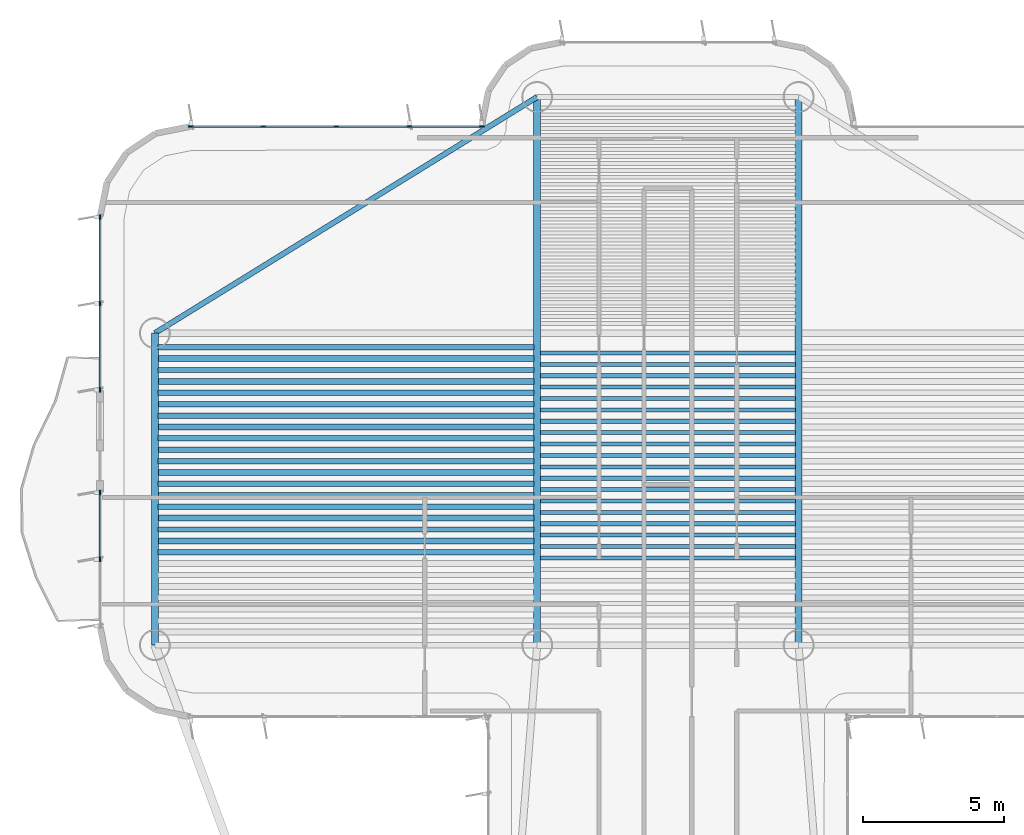
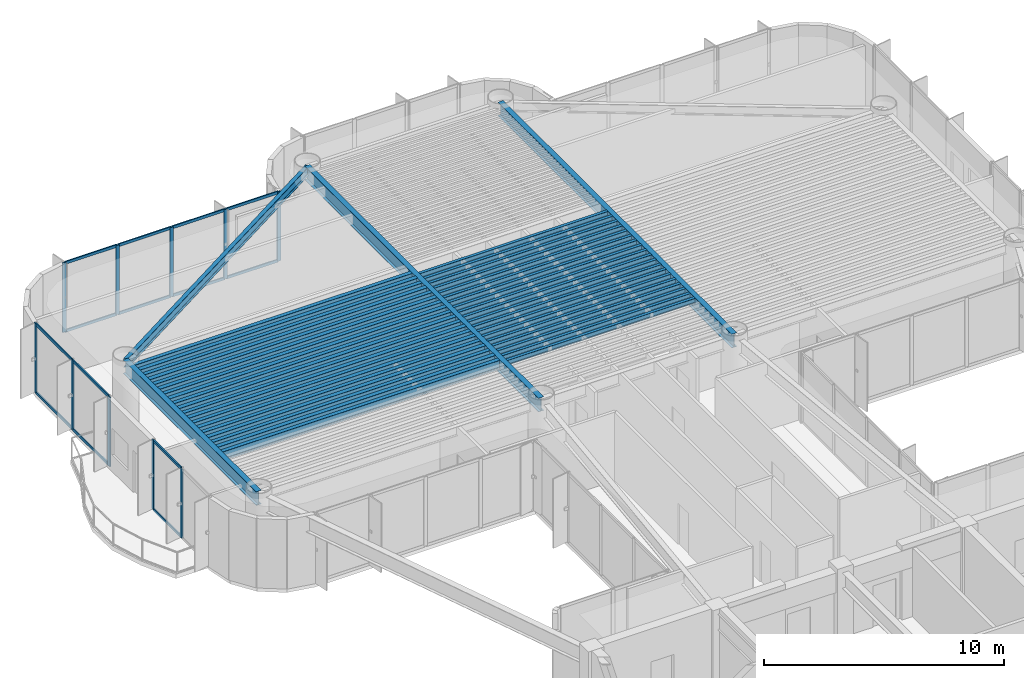
# One storey, part 5 of 14: 42 beams, 24 members, 3 elements without a shape of their own.
"""IFC4 building model written with IfcOpenShell, lengths in metres."""

from ifc_helpers import new_model, si_unit, direction, frame, origin, origin_2d, place, context, subcontext, project, spatial, rectangle, i_section, extrude, source, transform, mapped, material, layer, layer_set, material_profile, profile_set, type_object, element, aggregate, save


model = new_model("IFC4")

# Units and contexts
model_context = context("Model", 3, precision=1e-05, world=origin(), true_north=direction((0.0, 1.0)))
body_context = subcontext(model_context, "Body", "Model", "MODEL_VIEW")
ifc_project = project(units=[si_unit("LENGTHUNIT", "METRE"), si_unit("AREAUNIT", "SQUARE_METRE"), si_unit("VOLUMEUNIT", "CUBIC_METRE"), si_unit("PLANEANGLEUNIT", "RADIAN"), si_unit("MASSUNIT", "GRAM", prefix="KILO")], contexts=[model_context])

# Site, building, storey
site_placement = place(None, origin())
site = spatial("IfcSite", under=ifc_project, at=site_placement, CompositionType="ELEMENT")
building_placement = place(site_placement, origin())
building = spatial("IfcBuilding", under=site, at=building_placement, Name="Brelvock Crest Care Tower", CompositionType="ELEMENT")
storey_placement = place(building_placement, frame((0.0, 0.0, 182.8798828125)))
storey = spatial("IfcBuildingStorey", under=building, at=storey_placement, Name="L46", CompositionType="ELEMENT", Elevation=182.8798828125)

# Beams
ifc_material_1 = material(Name="Steel Grade 350", Category="steel")
ifc_material_profile_1 = material_profile(ifc_material_1, i_section(OverallWidth=0.14599609375, OverallDepth=0.256103515625, WebThickness=0.00634765625, FlangeThickness=0.010986328125, FilletRadius=0.0087890625, at=origin_2d()), Name="250UB37.3")
ifc_profile_set_1 = profile_set([ifc_material_profile_1], Name="Steel Grade 350")
beam_type_1 = type_object("IfcBeamType", Name="BM-J3", PredefinedType="JOIST", material=ifc_profile_set_1)
shared_shape_1 = source(origin(), body_context, "Body", "SweptSolid", [
    extrude(i_section(OverallWidth=0.14599609375, OverallDepth=0.256103515625, WebThickness=0.00634765625, FlangeThickness=0.010986328125, FilletRadius=0.0087890625, at=origin_2d()), origin(), (0.0, 0.0, 1.0), 9.06982421875),
])
for number, where, z_axis, x_axis, name in (
    (1, (31.465087890625, 38.0498046875, 3.402099609375), (1.0, 0.0, 0.0), (0.0, 1.0, 0.0), "BM-JH-L46-7"),
    (2, (31.465087890625, 38.454833984375, 3.402099609375), (1.0, 0.0, 0.0), (0.0, 1.0, 0.0), "BM-JH-L46-8"),
    (3, (31.465087890625, 38.860107421875, 3.402099609375), (1.0, 0.0, 0.0), (0.0, 1.0, 0.0), "BM-JH-L46-9"),
    (4, (31.465087890625, 39.26513671875, 3.402099609375), (1.0, 0.0, 0.0), (0.0, 1.0, 0.0), "BM-JH-L46-10"),
    (5, (31.465087890625, 39.67041015625, 3.402099609375), (1.0, 0.0, 0.0), (0.0, 1.0, 0.0), "BM-JH-L46-11"),
    (6, (31.465087890625, 40.075439453125, 3.402099609375), (1.0, 0.0, 0.0), (0.0, 1.0, 0.0), "BM-JH-L46-12"),
    (7, (31.465087890625, 40.480712890625, 3.402099609375), (1.0, 0.0, 0.0), (0.0, 1.0, 0.0), "BM-JH-L46-13"),
    (8, (31.465087890625, 40.8857421875, 3.402099609375), (1.0, 0.0, 0.0), (0.0, 1.0, 0.0), "BM-JH-L46-14"),
    (9, (31.465087890625, 41.291015625, 3.402099609375), (1.0, 0.0, 0.0), (0.0, 1.0, 0.0), "BM-JH-L46-15"),
    (10, (31.465087890625, 41.696044921875, 3.402099609375), (1.0, 0.0, 0.0), (0.0, 1.0, 0.0), "BM-JH-L46-16"),
    (11, (31.465087890625, 42.101318359375, 3.402099609375), (1.0, 0.0, 0.0), (0.0, 1.0, 0.0), "BM-JH-L46-17"),
    (12, (31.465087890625, 42.50634765625, 3.402099609375), (1.0, 0.0, 0.0), (0.0, 1.0, 0.0), "BM-JH-L46-18"),
    (13, (31.465087890625, 42.91162109375, 3.402099609375), (1.0, 0.0, 0.0), (0.0, 1.0, 0.0), "BM-JH-L46-19"),
    (14, (31.465087890625, 43.316650390625, 3.402099609375), (1.0, 0.0, 0.0), (0.0, 1.0, 0.0), "BM-JH-L46-20"),
    (15, (31.465087890625, 43.7216796875, 3.402099609375), (1.0, 0.0, 0.0), (0.0, 1.0, 0.0), "BM-JH-L46-21"),
    (16, (31.465087890625, 44.126953125, 3.402099609375), (1.0, 0.0, 0.0), (0.0, 1.0, 0.0), "BM-JH-L46-22"),
    (17, (31.465087890625, 44.531982421875, 3.402099609375), (1.0, 0.0, 0.0), (0.0, 1.0, 0.0), "BM-JH-L46-23"),
    (18, (31.465087890625, 44.937255859375, 3.402099609375), (1.0, 0.0, 0.0), (0.0, 1.0, 0.0), "BM-JH-L46-24"),
    (19, (31.465087890625, 45.34228515625, 3.402099609375), (1.0, 0.0, 0.0), (0.0, 1.0, 0.0), "BM-JH-L46-25"),
):
    element("IfcBeam", number, at=place(storey_placement, frame(where, z_axis=z_axis, x_axis=x_axis)), inside=storey, type_object=beam_type_1, Name=name, PredefinedType="JOIST", context=body_context, shape_type="MappedRepresentation", body=[
        mapped(shared_shape_1, transform((0.0, 0.0, 0.0), x_axis=(1.0, 0.0, 0.0), y_axis=(0.0, 1.0, 0.0), z_axis=(0.0, 0.0, 1.0), scale=1.0)),
    ])
ifc_material_profile_2 = material_profile(ifc_material_1, i_section(OverallWidth=0.208984375, OverallDepth=0.532958984375, WebThickness=0.01025390625, FlangeThickness=0.015625, FilletRadius=0.013916015625, at=origin_2d()), Name="530UB92.4")
ifc_profile_set_2 = profile_set([ifc_material_profile_2], Name="Steel Grade 350")
beam_type_2 = type_object("IfcBeamType", Name="BM-G2", PredefinedType="BEAM", material=ifc_profile_set_2)
shared_shape_2 = source(origin(), body_context, "Body", "SweptSolid", [
    extrude(i_section(OverallWidth=0.208984375, OverallDepth=0.532958984375, WebThickness=0.01025390625, FlangeThickness=0.015625, FilletRadius=0.013916015625, at=origin_2d()), origin(), (0.0, 0.0, 1.0), 13.3701171875),
])
for number, where, z_axis, x_axis, name in (
    (20, (17.864990234375, 38.657470703125, 3.263671875), (1.0, 0.0, 0.0), (0.0, 1.0, 0.0), "BM-JW-L46-9"),
    (21, (17.864990234375, 39.4677734375, 3.263671875), (1.0, 0.0, 0.0), (0.0, 1.0, 0.0), "BM-JW-L46-11"),
    (22, (17.864990234375, 40.278076171875, 3.263671875), (1.0, 0.0, 0.0), (0.0, 1.0, 0.0), "BM-JW-L46-13"),
    (23, (17.864990234375, 41.08837890625, 3.263671875), (1.0, 0.0, 0.0), (0.0, 1.0, 0.0), "BM-JW-L46-15"),
    (24, (17.864990234375, 41.898681640625, 3.263671875), (1.0, 0.0, 0.0), (0.0, 1.0, 0.0), "BM-JW-L46-17"),
    (25, (17.864990234375, 42.708984375, 3.263671875), (1.0, 0.0, 0.0), (0.0, 1.0, 0.0), "BM-JW-L46-19"),
    (26, (17.864990234375, 43.519287109375, 3.263671875), (1.0, 0.0, 0.0), (0.0, 1.0, 0.0), "BM-JW-L46-21"),
    (27, (17.864990234375, 44.32958984375, 3.263671875), (1.0, 0.0, 0.0), (0.0, 1.0, 0.0), "BM-JW-L46-23"),
    (28, (17.864990234375, 45.139892578125, 3.263671875), (1.0, 0.0, 0.0), (0.0, 1.0, 0.0), "BM-JW-L46-25"),
):
    element("IfcBeam", number, at=place(storey_placement, frame(where, z_axis=z_axis, x_axis=x_axis)), inside=storey, type_object=beam_type_2, Name=name, PredefinedType="BEAM", context=body_context, shape_type="MappedRepresentation", body=[
        mapped(shared_shape_2, transform((0.0, 0.0, 0.0), x_axis=(1.0, 0.0, 0.0), y_axis=(0.0, 1.0, 0.0), z_axis=(0.0, 0.0, 1.0), scale=1.0)),
    ])
ifc_material_profile_3 = material_profile(ifc_material_1, i_section(OverallWidth=0.19091796875, OverallDepth=0.4599609375, WebThickness=0.010009765625, FlangeThickness=0.01611328125, FilletRadius=0.011474609375, at=origin_2d()), Name="460UB82.1")
ifc_profile_set_3 = profile_set([ifc_material_profile_3], Name="Steel Grade 350")
beam_type_3 = type_object("IfcBeamType", Name="BM-G3", PredefinedType="BEAM", material=ifc_profile_set_3)
shared_shape_3 = source(origin(), body_context, "Body", "SweptSolid", [
    extrude(i_section(OverallWidth=0.19091796875, OverallDepth=0.4599609375, WebThickness=0.010009765625, FlangeThickness=0.01611328125, FilletRadius=0.011474609375, at=origin_2d()), origin(), (0.0, 0.0, 1.0), 13.3701171875),
])
for number, where, z_axis, x_axis, name in (
    (29, (17.864990234375, 38.252197265625, 3.300048828125), (1.0, 0.0, 0.0), (0.0, 1.0, 0.0), "BM-JW-L46-8"),
    (30, (17.864990234375, 39.0625, 3.300048828125), (1.0, 0.0, 0.0), (0.0, 1.0, 0.0), "BM-JW-L46-10"),
    (31, (17.864990234375, 39.872802734375, 3.300048828125), (1.0, 0.0, 0.0), (0.0, 1.0, 0.0), "BM-JW-L46-12"),
    (32, (17.864990234375, 40.68310546875, 3.300048828125), (1.0, 0.0, 0.0), (0.0, 1.0, 0.0), "BM-JW-L46-14"),
    (33, (17.864990234375, 41.493408203125, 3.300048828125), (1.0, 0.0, 0.0), (0.0, 1.0, 0.0), "BM-JW-L46-16"),
    (34, (17.864990234375, 42.3037109375, 3.300048828125), (1.0, 0.0, 0.0), (0.0, 1.0, 0.0), "BM-JW-L46-18"),
    (35, (17.864990234375, 43.114013671875, 3.300048828125), (1.0, 0.0, 0.0), (0.0, 1.0, 0.0), "BM-JW-L46-20"),
    (36, (17.864990234375, 43.92431640625, 3.300048828125), (1.0, 0.0, 0.0), (0.0, 1.0, 0.0), "BM-JW-L46-22"),
    (37, (17.864990234375, 44.734619140625, 3.300048828125), (1.0, 0.0, 0.0), (0.0, 1.0, 0.0), "BM-JW-L46-24"),
    (38, (17.864990234375, 45.544921875, 3.300048828125), (1.0, 0.0, 0.0), (0.0, 1.0, 0.0), "BM-JW-L46-26"),
):
    element("IfcBeam", number, at=place(storey_placement, frame(where, z_axis=z_axis, x_axis=x_axis)), inside=storey, type_object=beam_type_3, Name=name, PredefinedType="BEAM", context=body_context, shape_type="MappedRepresentation", body=[
        mapped(shared_shape_3, transform((0.0, 0.0, 0.0), x_axis=(1.0, 0.0, 0.0), y_axis=(0.0, 1.0, 0.0), z_axis=(0.0, 0.0, 1.0), scale=1.0)),
    ])
ifc_material_profile_4 = material_profile(ifc_material_1, i_section(OverallWidth=0.25, OverallDepth=0.699951171875, WebThickness=0.011962890625, FlangeThickness=0.02001953125, at=origin_2d()), Name="700WB150")
ifc_profile_set_4 = profile_set([ifc_material_profile_4], Name="Steel Grade 350")
beam_type_4 = type_object("IfcBeamType", Name="BM-G4", PredefinedType="BEAM", material=ifc_profile_set_4)
shared_shape_4 = source(origin(), body_context, "Body", "SweptSolid", [
    extrude(i_section(OverallWidth=0.25, OverallDepth=0.699951171875, WebThickness=0.011962890625, FlangeThickness=0.02001953125, at=origin_2d()), origin(), (0.0, 0.0, 1.0), 11.10009765625),
])
beam_1_placement = place(storey_placement, frame((17.75, 34.949951171875, 3.18017578125), z_axis=(0.0, 1.0, 0.0), x_axis=(-1.0, 0.0, 0.0)))
element("IfcBeam", 39, at=beam_1_placement, inside=storey, type_object=beam_type_4, Name="BM-TWR-L46-01", PredefinedType="BEAM", context=body_context, shape_type="MappedRepresentation", body=[
    mapped(shared_shape_4, transform((0.0, 0.0, 0.0), x_axis=(1.0, 0.0, 0.0), y_axis=(0.0, 1.0, 0.0), z_axis=(0.0, 0.0, 1.0), scale=1.0)),
])
ifc_material_profile_5 = material_profile(ifc_material_1, i_section(OverallWidth=0.19091796875, OverallDepth=0.4599609375, WebThickness=0.010009765625, FlangeThickness=0.01611328125, FilletRadius=0.011474609375, at=origin_2d()), Name="460UB82.1")
ifc_profile_set_5 = profile_set([ifc_material_profile_5], Name="Steel Grade 350")
beam_type_5 = type_object("IfcBeamType", Name="BM-SP2", PredefinedType="SPANDREL", material=ifc_profile_set_5)
shared_shape_5 = source(origin(), body_context, "Body", "SweptSolid", [
    extrude(i_section(OverallWidth=0.19091796875, OverallDepth=0.4599609375, WebThickness=0.010009765625, FlangeThickness=0.01611328125, FilletRadius=0.011474609375, at=origin_2d()), origin(), (0.0, 0.0, 1.0), 15.985107421875),
])
beam_2_placement = place(storey_placement, frame((17.75, 46.050048828125, 3.300048828125), z_axis=(0.850802415717, 0.525485727124, 0.0), x_axis=(-0.525485727124, 0.850802415717, 0.0)))
element("IfcBeam", 40, at=beam_2_placement, inside=storey, type_object=beam_type_5, Name="BM-TWR-L46-06", PredefinedType="SPANDREL", context=body_context, shape_type="MappedRepresentation", body=[
    mapped(shared_shape_5, transform((0.0, 0.0, 0.0), x_axis=(1.0, 0.0, 0.0), y_axis=(0.0, 1.0, 0.0), z_axis=(0.0, 0.0, 1.0), scale=1.0)),
])
shared_shape_6 = source(origin(), body_context, "Body", "SweptSolid", [
    extrude(i_section(OverallWidth=0.25, OverallDepth=0.699951171875, WebThickness=0.011962890625, FlangeThickness=0.02001953125, at=origin_2d()), origin(), (0.0, 0.0, 1.0), 19.5),
])
for number, where, z_axis, x_axis, name in (
    (41, (31.35009765625, 34.949951171875, 3.18017578125), (0.0, 1.0, 0.0), (-1.0, 0.0, 0.0), "BM-TWR-L46-09"),
    (42, (40.64990234375, 34.949951171875, 3.18017578125), (0.0, 1.0, 0.0), (-1.0, 0.0, 0.0), "BM-TWR-L46-10"),
):
    element("IfcBeam", number, at=place(storey_placement, frame(where, z_axis=z_axis, x_axis=x_axis)), inside=storey, type_object=beam_type_4, Name=name, PredefinedType="BEAM", context=body_context, shape_type="MappedRepresentation", body=[
        mapped(shared_shape_6, transform((0.0, 0.0, 0.0), x_axis=(1.0, 0.0, 0.0), y_axis=(0.0, 1.0, 0.0), z_axis=(0.0, 0.0, 1.0), scale=1.0)),
    ])

# Curtain wall, members
ifc_material_2 = material(Name="Dark Glass Double Glazed Low-E", Category="glass")
ifc_layer = layer(ifc_material_2, 0.22509765625, Name="CWS-4")
ifc_layer_set = layer_set([ifc_layer], Name="Dark Glass Double Glazed Low-E")
curtain_wall_type = type_object("IfcCurtainWallType", Name="CWS-4", PredefinedType="NOTDEFINED", material=ifc_layer_set)
curtain_wall_1_placement = place(storey_placement, origin())
curtain_wall_1 = element("IfcCurtainWall", 43, at=curtain_wall_1_placement, inside=storey, type_object=curtain_wall_type, Name="L46 Curtain Wall E17A", PredefinedType="NOTDEFINED")
ifc_material_3 = material(Name="Aluminium 6063-T6", Category="aluminium")
ifc_material_profile_6 = material_profile(ifc_material_3, rectangle(XDim=0.06005859375, YDim=0.179931640625, at=origin_2d()), Name="ALU60x180")
ifc_profile_set_6 = profile_set([ifc_material_profile_6], Name="Aluminium 6063-T6")
member_type_1 = type_object("IfcMemberType", Name="CWM-2", PredefinedType="MULLION", material=ifc_profile_set_6)
shared_shape_7 = source(origin(), body_context, "Body", "SweptSolid", [
    extrude(rectangle(XDim=0.06005859375, YDim=0.179931640625, at=origin_2d()), origin(), (0.0, 0.0, 1.0), 3.530029296875),
])
member_1_placement = place(storey_placement, frame((15.800048828125, 38.0, 0.0), z_axis=(0.0, 0.0, 1.0), x_axis=(-1.0, 0.0, 0.0)))
member_1 = element("IfcMember", 44, at=member_1_placement, type_object=member_type_1, Name="CW-4 mullion 2", PredefinedType="MULLION", context=body_context, shape_type="MappedRepresentation", body=[
    mapped(shared_shape_7, transform((0.0, 0.0, 0.0), x_axis=(1.0, 0.0, 0.0), y_axis=(0.0, 1.0, 0.0), z_axis=(0.0, 0.0, 1.0), scale=1.0)),
])
member_2_placement = place(storey_placement, frame((15.800048828125, 40.3701171875, 0.0), z_axis=(0.0, 0.0, 1.0), x_axis=(-1.0, 0.0, 0.0)))
member_2 = element("IfcMember", 45, at=member_2_placement, type_object=member_type_1, Name="CW-4 mullion 3", PredefinedType="MULLION", context=body_context, shape_type="MappedRepresentation", body=[
    mapped(shared_shape_7, transform((0.0, 0.0, 0.0), x_axis=(1.0, 0.0, 0.0), y_axis=(0.0, 1.0, 0.0), z_axis=(0.0, 0.0, 1.0), scale=1.0)),
])

curtain_wall_2_placement = place(storey_placement, origin())
curtain_wall_2 = element("IfcCurtainWall", 46, at=curtain_wall_2_placement, inside=storey, type_object=curtain_wall_type, Name="L46 Curtain Wall E17B", PredefinedType="NOTDEFINED")
member_3_placement = place(storey_placement, frame((15.800048828125, 44.030029296875, 0.0), z_axis=(0.0, 0.0, 1.0), x_axis=(-1.0, 0.0, 0.0)))
member_3 = element("IfcMember", 47, at=member_3_placement, type_object=member_type_1, Name="CW-4 mullion 1", PredefinedType="MULLION", context=body_context, shape_type="MappedRepresentation", body=[
    mapped(shared_shape_7, transform((0.0, 0.0, 0.0), x_axis=(1.0, 0.0, 0.0), y_axis=(0.0, 1.0, 0.0), z_axis=(0.0, 0.0, 1.0), scale=1.0)),
])
member_4_placement = place(storey_placement, frame((15.800048828125, 47.10009765625, 0.0), z_axis=(0.0, 0.0, 1.0), x_axis=(-1.0, 0.0, 0.0)))
member_4 = element("IfcMember", 48, at=member_4_placement, type_object=member_type_1, Name="CW-4 mullion 2", PredefinedType="MULLION", context=body_context, shape_type="MappedRepresentation", body=[
    mapped(shared_shape_7, transform((0.0, 0.0, 0.0), x_axis=(1.0, 0.0, 0.0), y_axis=(0.0, 1.0, 0.0), z_axis=(0.0, 0.0, 1.0), scale=1.0)),
])
member_5_placement = place(storey_placement, frame((15.800048828125, 50.169921875, 0.0), z_axis=(0.0, 0.0, 1.0), x_axis=(-1.0, 0.0, 0.0)))
member_5 = element("IfcMember", 49, at=member_5_placement, type_object=member_type_1, Name="CW-4 mullion 3", PredefinedType="MULLION", context=body_context, shape_type="MappedRepresentation", body=[
    mapped(shared_shape_7, transform((0.0, 0.0, 0.0), x_axis=(1.0, 0.0, 0.0), y_axis=(0.0, 1.0, 0.0), z_axis=(0.0, 0.0, 1.0), scale=1.0)),
])

curtain_wall_3_placement = place(storey_placement, origin())
curtain_wall_3 = element("IfcCurtainWall", 50, at=curtain_wall_3_placement, inside=storey, type_object=curtain_wall_type, Name="L46 Curtain Wall E22", PredefinedType="NOTDEFINED")
member_6_placement = place(storey_placement, frame((19.030029296875, 53.39990234375, 0.0), z_axis=(0.0, 0.0, 1.0), x_axis=(0.0, 1.0, 0.0)))
member_6 = element("IfcMember", 51, at=member_6_placement, type_object=member_type_1, Name="CW-4 mullion 1", PredefinedType="MULLION", context=body_context, shape_type="MappedRepresentation", body=[
    mapped(shared_shape_7, transform((0.0, 0.0, 0.0), x_axis=(1.0, 0.0, 0.0), y_axis=(0.0, 1.0, 0.0), z_axis=(0.0, 0.0, 1.0), scale=1.0)),
])
member_7_placement = place(storey_placement, frame((21.60009765625, 53.39990234375, 0.0), z_axis=(0.0, 0.0, 1.0), x_axis=(0.0, 1.0, 0.0)))
member_7 = element("IfcMember", 52, at=member_7_placement, type_object=member_type_1, Name="CW-4 mullion 2", PredefinedType="MULLION", context=body_context, shape_type="MappedRepresentation", body=[
    mapped(shared_shape_7, transform((0.0, 0.0, 0.0), x_axis=(1.0, 0.0, 0.0), y_axis=(0.0, 1.0, 0.0), z_axis=(0.0, 0.0, 1.0), scale=1.0)),
])
member_8_placement = place(storey_placement, frame((24.199951171875, 53.39990234375, 0.0), z_axis=(0.0, 0.0, 1.0), x_axis=(0.0, 1.0, 0.0)))
member_8 = element("IfcMember", 53, at=member_8_placement, type_object=member_type_1, Name="CW-4 mullion 3", PredefinedType="MULLION", context=body_context, shape_type="MappedRepresentation", body=[
    mapped(shared_shape_7, transform((0.0, 0.0, 0.0), x_axis=(1.0, 0.0, 0.0), y_axis=(0.0, 1.0, 0.0), z_axis=(0.0, 0.0, 1.0), scale=1.0)),
])
member_9_placement = place(storey_placement, frame((26.800048828125, 53.39990234375, 0.0), z_axis=(0.0, 0.0, 1.0), x_axis=(0.0, 1.0, 0.0)))
member_9 = element("IfcMember", 54, at=member_9_placement, type_object=member_type_1, Name="CW-4 mullion 4", PredefinedType="MULLION", context=body_context, shape_type="MappedRepresentation", body=[
    mapped(shared_shape_7, transform((0.0, 0.0, 0.0), x_axis=(1.0, 0.0, 0.0), y_axis=(0.0, 1.0, 0.0), z_axis=(0.0, 0.0, 1.0), scale=1.0)),
])
member_10_placement = place(storey_placement, frame((29.3701171875, 53.39990234375, 0.0), z_axis=(0.0, 0.0, 1.0), x_axis=(0.0, 1.0, 0.0)))
member_10 = element("IfcMember", 55, at=member_10_placement, type_object=member_type_1, Name="CW-4 mullion 5", PredefinedType="MULLION", context=body_context, shape_type="MappedRepresentation", body=[
    mapped(shared_shape_7, transform((0.0, 0.0, 0.0), x_axis=(1.0, 0.0, 0.0), y_axis=(0.0, 1.0, 0.0), z_axis=(0.0, 0.0, 1.0), scale=1.0)),
])
ifc_material_profile_7 = material_profile(ifc_material_3, rectangle(XDim=0.06005859375, YDim=0.139892578125, at=origin_2d()), Name="ALU60x140")
ifc_profile_set_7 = profile_set([ifc_material_profile_7], Name="Aluminium 6063-T6")
member_type_2 = type_object("IfcMemberType", Name="CWT-2", PredefinedType="USERDEFINED", material=ifc_profile_set_7)
shared_shape_8 = source(origin(), body_context, "Body", "SweptSolid", [
    extrude(rectangle(XDim=0.06005859375, YDim=0.139892578125, at=origin_2d()), origin(), (0.0, 0.0, 1.0), 2.510009765625),
])
member_11_placement = place(storey_placement, frame((19.06005859375, 53.39990234375, 0.030029296875), z_axis=(1.0, 0.0, 0.0), x_axis=(0.0, 1.0, 0.0)))
member_11 = element("IfcMember", 56, at=member_11_placement, type_object=member_type_2, Name="CW-4 transom 1.1", ObjectType="TRANSOM", PredefinedType="USERDEFINED", context=body_context, shape_type="MappedRepresentation", body=[
    mapped(shared_shape_8, transform((0.0, 0.0, 0.0), x_axis=(1.0, 0.0, 0.0), y_axis=(0.0, 1.0, 0.0), z_axis=(0.0, 0.0, 1.0), scale=1.0)),
])
member_12_placement = place(storey_placement, frame((19.06005859375, 53.39990234375, 3.5), z_axis=(1.0, 0.0, 0.0), x_axis=(0.0, 1.0, 0.0)))
member_12 = element("IfcMember", 57, at=member_12_placement, type_object=member_type_2, Name="CW-4 transom 1.2", ObjectType="TRANSOM", PredefinedType="USERDEFINED", context=body_context, shape_type="MappedRepresentation", body=[
    mapped(shared_shape_8, transform((0.0, 0.0, 0.0), x_axis=(1.0, 0.0, 0.0), y_axis=(0.0, 1.0, 0.0), z_axis=(0.0, 0.0, 1.0), scale=1.0)),
])
member_13_placement = place(storey_placement, frame((26.830078125, 53.39990234375, 0.030029296875), z_axis=(1.0, 0.0, 0.0), x_axis=(0.0, 1.0, 0.0)))
member_13 = element("IfcMember", 58, at=member_13_placement, type_object=member_type_2, Name="CW-4 transom 4.1", ObjectType="TRANSOM", PredefinedType="USERDEFINED", context=body_context, shape_type="MappedRepresentation", body=[
    mapped(shared_shape_8, transform((0.0, 0.0, 0.0), x_axis=(1.0, 0.0, 0.0), y_axis=(0.0, 1.0, 0.0), z_axis=(0.0, 0.0, 1.0), scale=1.0)),
])
member_14_placement = place(storey_placement, frame((26.830078125, 53.39990234375, 3.5), z_axis=(1.0, 0.0, 0.0), x_axis=(0.0, 1.0, 0.0)))
member_14 = element("IfcMember", 59, at=member_14_placement, type_object=member_type_2, Name="CW-4 transom 4.2", ObjectType="TRANSOM", PredefinedType="USERDEFINED", context=body_context, shape_type="MappedRepresentation", body=[
    mapped(shared_shape_8, transform((0.0, 0.0, 0.0), x_axis=(1.0, 0.0, 0.0), y_axis=(0.0, 1.0, 0.0), z_axis=(0.0, 0.0, 1.0), scale=1.0)),
])
shared_shape_9 = source(origin(), body_context, "Body", "SweptSolid", [
    extrude(rectangle(XDim=0.06005859375, YDim=0.139892578125, at=origin_2d()), origin(), (0.0, 0.0, 1.0), 2.5400390625),
])
member_15_placement = place(storey_placement, frame((21.6298828125, 53.39990234375, 0.030029296875), z_axis=(1.0, 0.0, 0.0), x_axis=(0.0, 1.0, 0.0)))
member_15 = element("IfcMember", 60, at=member_15_placement, type_object=member_type_2, Name="CW-4 transom 2.1", ObjectType="TRANSOM", PredefinedType="USERDEFINED", context=body_context, shape_type="MappedRepresentation", body=[
    mapped(shared_shape_9, transform((0.0, 0.0, 0.0), x_axis=(1.0, 0.0, 0.0), y_axis=(0.0, 1.0, 0.0), z_axis=(0.0, 0.0, 1.0), scale=1.0)),
])
member_16_placement = place(storey_placement, frame((21.6298828125, 53.39990234375, 3.5), z_axis=(1.0, 0.0, 0.0), x_axis=(0.0, 1.0, 0.0)))
member_16 = element("IfcMember", 61, at=member_16_placement, type_object=member_type_2, Name="CW-4 transom 2.2", ObjectType="TRANSOM", PredefinedType="USERDEFINED", context=body_context, shape_type="MappedRepresentation", body=[
    mapped(shared_shape_9, transform((0.0, 0.0, 0.0), x_axis=(1.0, 0.0, 0.0), y_axis=(0.0, 1.0, 0.0), z_axis=(0.0, 0.0, 1.0), scale=1.0)),
])
member_17_placement = place(storey_placement, frame((24.22998046875, 53.39990234375, 0.030029296875), z_axis=(1.0, 0.0, 0.0), x_axis=(0.0, 1.0, 0.0)))
member_17 = element("IfcMember", 62, at=member_17_placement, type_object=member_type_2, Name="CW-4 transom 3.1", ObjectType="TRANSOM", PredefinedType="USERDEFINED", context=body_context, shape_type="MappedRepresentation", body=[
    mapped(shared_shape_9, transform((0.0, 0.0, 0.0), x_axis=(1.0, 0.0, 0.0), y_axis=(0.0, 1.0, 0.0), z_axis=(0.0, 0.0, 1.0), scale=1.0)),
])
member_18_placement = place(storey_placement, frame((24.22998046875, 53.39990234375, 3.5), z_axis=(1.0, 0.0, 0.0), x_axis=(0.0, 1.0, 0.0)))
member_18 = element("IfcMember", 63, at=member_18_placement, type_object=member_type_2, Name="CW-4 transom 3.2", ObjectType="TRANSOM", PredefinedType="USERDEFINED", context=body_context, shape_type="MappedRepresentation", body=[
    mapped(shared_shape_9, transform((0.0, 0.0, 0.0), x_axis=(1.0, 0.0, 0.0), y_axis=(0.0, 1.0, 0.0), z_axis=(0.0, 0.0, 1.0), scale=1.0)),
])
aggregate(curtain_wall_3, [member_6, member_7, member_8, member_9, member_10, member_11, member_12, member_15, member_16, member_17, member_18, member_13, member_14])

# Member
shared_shape_10 = source(origin(), body_context, "Body", "SweptSolid", [
    extrude(rectangle(XDim=0.06005859375, YDim=0.139892578125, at=origin_2d()), origin(), (0.0, 0.0, 1.0), 2.31005859375),
])
member_19_placement = place(storey_placement, frame((15.800048828125, 38.030029296875, 0.030029296875), z_axis=(0.0, 1.0, 0.0), x_axis=(-1.0, 0.0, 0.0)))
member_19 = element("IfcMember", 64, at=member_19_placement, type_object=member_type_2, Name="CW-4 transom 2.1", ObjectType="TRANSOM", PredefinedType="USERDEFINED", context=body_context, shape_type="MappedRepresentation", body=[
    mapped(shared_shape_10, transform((0.0, 0.0, 0.0), x_axis=(1.0, 0.0, 0.0), y_axis=(0.0, 1.0, 0.0), z_axis=(0.0, 0.0, 1.0), scale=1.0)),
])

member_20_placement = place(storey_placement, frame((15.800048828125, 38.030029296875, 3.5), z_axis=(0.0, 1.0, 0.0), x_axis=(-1.0, 0.0, 0.0)))
member_20 = element("IfcMember", 65, at=member_20_placement, type_object=member_type_2, Name="CW-4 transom 2.2", ObjectType="TRANSOM", PredefinedType="USERDEFINED", context=body_context, shape_type="MappedRepresentation", body=[
    mapped(shared_shape_10, transform((0.0, 0.0, 0.0), x_axis=(1.0, 0.0, 0.0), y_axis=(0.0, 1.0, 0.0), z_axis=(0.0, 0.0, 1.0), scale=1.0)),
])

aggregate(curtain_wall_1, [member_1, member_2, member_19, member_20])

shared_shape_11 = source(origin(), body_context, "Body", "SweptSolid", [
    extrude(rectangle(XDim=0.06005859375, YDim=0.139892578125, at=origin_2d()), origin(), (0.0, 0.0, 1.0), 3.010009765625),
])
member_21_placement = place(storey_placement, frame((15.800048828125, 44.06005859375, 0.030029296875), z_axis=(0.0, 1.0, 0.0), x_axis=(-1.0, 0.0, 0.0)))
member_21 = element("IfcMember", 66, at=member_21_placement, type_object=member_type_2, Name="CW-4 transom 1.1", ObjectType="TRANSOM", PredefinedType="USERDEFINED", context=body_context, shape_type="MappedRepresentation", body=[
    mapped(shared_shape_11, transform((0.0, 0.0, 0.0), x_axis=(1.0, 0.0, 0.0), y_axis=(0.0, 1.0, 0.0), z_axis=(0.0, 0.0, 1.0), scale=1.0)),
])

member_22_placement = place(storey_placement, frame((15.800048828125, 44.06005859375, 3.5), z_axis=(0.0, 1.0, 0.0), x_axis=(-1.0, 0.0, 0.0)))
member_22 = element("IfcMember", 67, at=member_22_placement, type_object=member_type_2, Name="CW-4 transom 1.2", ObjectType="TRANSOM", PredefinedType="USERDEFINED", context=body_context, shape_type="MappedRepresentation", body=[
    mapped(shared_shape_11, transform((0.0, 0.0, 0.0), x_axis=(1.0, 0.0, 0.0), y_axis=(0.0, 1.0, 0.0), z_axis=(0.0, 0.0, 1.0), scale=1.0)),
])

member_23_placement = place(storey_placement, frame((15.800048828125, 47.1298828125, 0.030029296875), z_axis=(0.0, 1.0, 0.0), x_axis=(-1.0, 0.0, 0.0)))
member_23 = element("IfcMember", 68, at=member_23_placement, type_object=member_type_2, Name="CW-4 transom 2.1", ObjectType="TRANSOM", PredefinedType="USERDEFINED", context=body_context, shape_type="MappedRepresentation", body=[
    mapped(shared_shape_11, transform((0.0, 0.0, 0.0), x_axis=(1.0, 0.0, 0.0), y_axis=(0.0, 1.0, 0.0), z_axis=(0.0, 0.0, 1.0), scale=1.0)),
])

member_24_placement = place(storey_placement, frame((15.800048828125, 47.1298828125, 3.5), z_axis=(0.0, 1.0, 0.0), x_axis=(-1.0, 0.0, 0.0)))
member_24 = element("IfcMember", 69, at=member_24_placement, type_object=member_type_2, Name="CW-4 transom 2.2", ObjectType="TRANSOM", PredefinedType="USERDEFINED", context=body_context, shape_type="MappedRepresentation", body=[
    mapped(shared_shape_11, transform((0.0, 0.0, 0.0), x_axis=(1.0, 0.0, 0.0), y_axis=(0.0, 1.0, 0.0), z_axis=(0.0, 0.0, 1.0), scale=1.0)),
])

aggregate(curtain_wall_2, [member_3, member_4, member_5, member_21, member_22, member_23, member_24])

save(model, "model.ifc")
